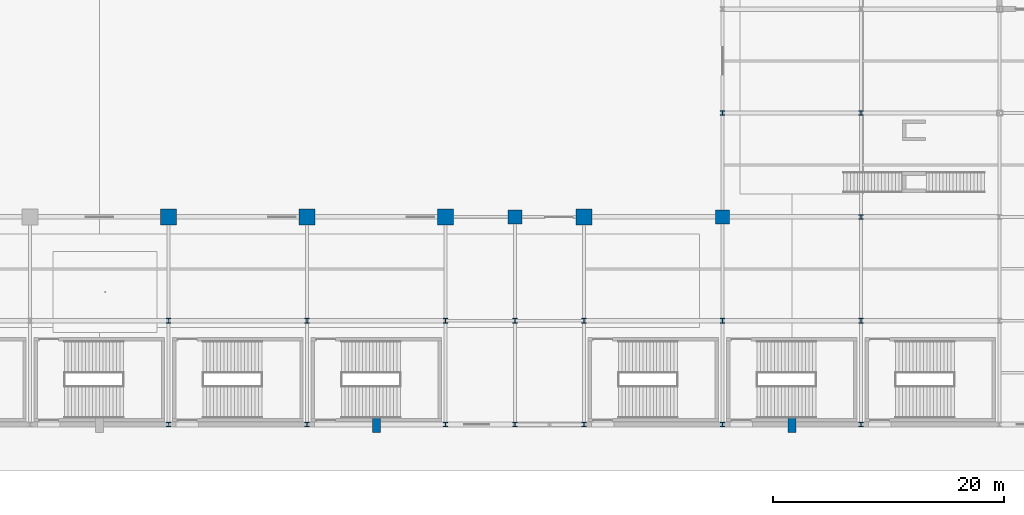
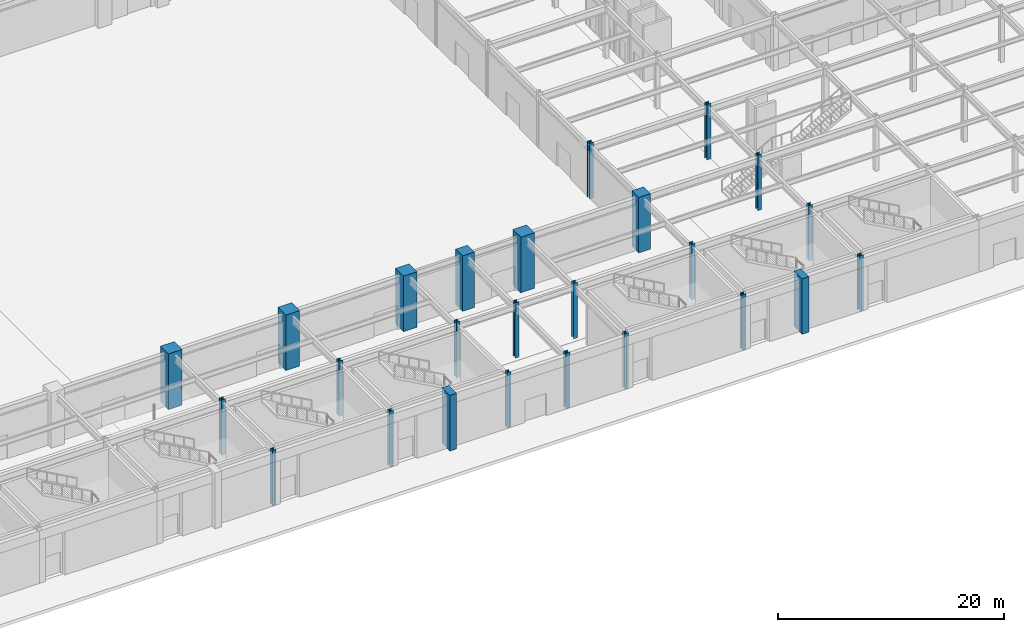
# One storey, part 4 of 44: 25 columns.
"""IFC4 building model written with IfcOpenShell, lengths in metres."""

from ifc_helpers import new_model, si_unit, direction, frame, origin, origin_2d, place, context, subcontext, project, spatial, rectangle, i_section, extrude, material, material_profile, profile_set, type_object, element, save


model = new_model("IFC4")

# Units and contexts
model_context = context("Model", 3, precision=1e-05, world=origin(), true_north=direction((0.0, 1.0)))
body_context = subcontext(model_context, "Body", "Model", "MODEL_VIEW")
ifc_project = project(units=[si_unit("LENGTHUNIT", "METRE"), si_unit("AREAUNIT", "SQUARE_METRE"), si_unit("VOLUMEUNIT", "CUBIC_METRE"), si_unit("PLANEANGLEUNIT", "RADIAN"), si_unit("MASSUNIT", "GRAM", prefix="KILO")], contexts=[model_context])

# Site, building, storey
site_placement = place(None, origin())
site = spatial("IfcSite", under=ifc_project, at=site_placement, CompositionType="ELEMENT")
building_placement = place(site_placement, origin())
building = spatial("IfcBuilding", under=site, at=building_placement, Name="Kaldorvane Square Convention Centre", CompositionType="ELEMENT")
storey_placement = place(building_placement, origin())
storey = spatial("IfcBuildingStorey", under=building, at=storey_placement, Name="L00", CompositionType="ELEMENT", Elevation=0.0)

# Columns
ifc_material_1 = material(Name="Concrete f'c = 55 MPa (Normalweight)", Category="concrete")
ifc_material_profile_1 = material_profile(ifc_material_1, rectangle(XDim=1.1999969482421875, YDim=1.1999969482421875, at=origin_2d()), Name="RC1200X1200")
ifc_profile_set_1 = profile_set([ifc_material_profile_1], Name="Concrete f'c = 55 MPa (Normalweight)")
column_type_1 = type_object("IfcColumnType", Name="COL-MEGA-1200", PredefinedType="COLUMN", material=ifc_profile_set_1)
for number, where, z_axis, x_axis, name in (
    (1, (96.0, 18.0, 0.0), (0.0, 0.0, 1.0), (1.0, 0.0, 0.0), "Column MC-02 (L00)"),
    (2, (114.0, 18.0, 0.0), (0.0, 0.0, 1.0), (1.0, 0.0, 0.0), "Column MC-02 (L00)"),
):
    element("IfcColumn", number, at=place(storey_placement, frame(where, z_axis=z_axis, x_axis=x_axis)), inside=storey, type_object=column_type_1, Name=name, PredefinedType="COLUMN", context=body_context, shape_type="SweptSolid", body=[
        extrude(rectangle(XDim=1.1999969482421875, YDim=1.1999969482421875, at=origin_2d()), origin(), (0.0, 0.0, 1.0), 6.0),
    ])
ifc_material_profile_2 = material_profile(ifc_material_1, rectangle(XDim=1.399993896484375, YDim=1.399993896484375, at=origin_2d()), Name="RC1400X1400")
ifc_profile_set_2 = profile_set([ifc_material_profile_2], Name="Concrete f'c = 55 MPa (Normalweight)")
column_type_2 = type_object("IfcColumnType", Name="COL-MEGA-1400", PredefinedType="COLUMN", material=ifc_profile_set_2)
for number, where, z_axis, x_axis, name in (
    (3, (66.0, 18.0, 0.0), (0.0, 0.0, 1.0), (1.0, 0.0, 0.0), "Column MC-01 (L00)"),
    (4, (78.0, 18.0, 0.0), (0.0, 0.0, 1.0), (1.0, 0.0, 0.0), "Column MC-01 (L00)"),
    (5, (90.0, 18.0, 0.0), (0.0, 0.0, 1.0), (1.0, 0.0, 0.0), "Column MC-01 (L00)"),
    (6, (102.0, 18.0, 0.0), (0.0, 0.0, 1.0), (1.0, 0.0, 0.0), "Column MC-01 (L00)"),
):
    element("IfcColumn", number, at=place(storey_placement, frame(where, z_axis=z_axis, x_axis=x_axis)), inside=storey, type_object=column_type_2, Name=name, PredefinedType="COLUMN", context=body_context, shape_type="SweptSolid", body=[
        extrude(rectangle(XDim=1.399993896484375, YDim=1.399993896484375, at=origin_2d()), origin(), (0.0, 0.0, 1.0), 6.0),
    ])
ifc_material_2 = material(Name="Steel ASTM A992 Gr. 50", Category="steel")
ifc_material_profile_3 = material_profile(ifc_material_2, i_section(OverallWidth=0.40130615234375, OverallDepth=0.3993072509765625, WebThickness=0.02490234375, FlangeThickness=0.0395965576171875, FilletRadius=0.0305023193359375, at=origin_2d()), Name="W14X211")
ifc_profile_set_3 = profile_set([ifc_material_profile_3], Name="Steel ASTM A992 Gr. 50")
column_type_3 = type_object("IfcColumnType", Name="COL-STL-211", PredefinedType="COLUMN", material=ifc_profile_set_3)
for number, where, z_axis, x_axis, name in (
    (7, (66.0, 0.0, 0.0), (0.0, 0.0, 1.0), (1.0, 0.0, 0.0), "Column SC-08 (L00)"),
    (8, (66.0, 9.0, 0.0), (0.0, 0.0, 1.0), (1.0, 0.0, 0.0), "Column SC-08 (L00)"),
    (9, (78.0, 0.0, 0.0), (0.0, 0.0, 1.0), (1.0, 0.0, 0.0), "Column SC-08 (L00)"),
    (10, (78.0, 9.0, 0.0), (0.0, 0.0, 1.0), (1.0, 0.0, 0.0), "Column SC-08 (L00)"),
    (11, (90.0, 0.0, 0.0), (0.0, 0.0, 1.0), (1.0, 0.0, 0.0), "Column SC-08 (L00)"),
    (12, (90.0, 9.0, 0.0), (0.0, 0.0, 1.0), (1.0, 0.0, 0.0), "Column SC-08 (L00)"),
    (13, (96.0, 0.0, 0.0), (0.0, 0.0, 1.0), (1.0, 0.0, 0.0), "Column SC-08 (L00)"),
    (14, (96.0, 9.0, 0.0), (0.0, 0.0, 1.0), (1.0, 0.0, 0.0), "Column SC-08 (L00)"),
    (15, (102.0, 0.0, 0.0), (0.0, 0.0, 1.0), (1.0, 0.0, 0.0), "Column SC-08 (L00)"),
    (16, (102.0, 9.0, 0.0), (0.0, 0.0, 1.0), (1.0, 0.0, 0.0), "Column SC-08 (L00)"),
    (17, (114.0, 0.0, 0.0), (0.0, 0.0, 1.0), (1.0, 0.0, 0.0), "Column SC-08 (L00)"),
    (18, (114.0, 9.0, 0.0), (0.0, 0.0, 1.0), (1.0, 0.0, 0.0), "Column SC-08 (L00)"),
    (19, (114.0, 27.0, 0.0), (0.0, 0.0, 1.0), (1.0, 0.0, 0.0), "Column SC-08 (L00)"),
    (20, (126.0, 0.0, 0.0), (0.0, 0.0, 1.0), (1.0, 0.0, 0.0), "Column SC-08 (L00)"),
    (21, (126.0, 9.0, 0.0), (0.0, 0.0, 1.0), (1.0, 0.0, 0.0), "Column SC-08 (L00)"),
    (22, (126.0, 18.0, 0.0), (0.0, 0.0, 1.0), (1.0, 0.0, 0.0), "Column SC-08 (L00)"),
    (23, (126.0, 27.0, 0.0), (0.0, 0.0, 1.0), (1.0, 0.0, 0.0), "Column SC-08 (L00)"),
):
    element("IfcColumn", number, at=place(storey_placement, frame(where, z_axis=z_axis, x_axis=x_axis)), inside=storey, type_object=column_type_3, Name=name, PredefinedType="COLUMN", context=body_context, shape_type="SweptSolid", body=[
        extrude(i_section(OverallWidth=0.40130615234375, OverallDepth=0.3993072509765625, WebThickness=0.02490234375, FlangeThickness=0.0395965576171875, FilletRadius=0.0305023193359375, at=origin_2d()), origin(), (0.0, 0.0, 1.0), 6.0),
    ])
ifc_material_profile_4 = material_profile(ifc_material_1, rectangle(XDim=0.6999969482421875, YDim=1.399993896484375, at=origin_2d()), Name="PIL1400X700")
ifc_profile_set_4 = profile_set([ifc_material_profile_4], Name="Concrete f'c = 55 MPa (Normalweight)")
column_type_4 = type_object("IfcColumnType", Name="PIL-BRUT-1400", PredefinedType="PILASTER", material=ifc_profile_set_4)
for number, where, z_axis, x_axis, name in (
    (24, (84.0, 0.0, 0.0), (0.0, 0.0, 1.0), (1.0, 0.0, 0.0), "Brutalist Colonnade Pilaster (L00)"),
    (25, (120.0, 0.0, 0.0), (0.0, 0.0, 1.0), (1.0, 0.0, 0.0), "Brutalist Colonnade Pilaster (L00)"),
):
    element("IfcColumn", number, at=place(storey_placement, frame(where, z_axis=z_axis, x_axis=x_axis)), inside=storey, type_object=column_type_4, Name=name, PredefinedType="PILASTER", context=body_context, shape_type="SweptSolid", body=[
        extrude(rectangle(XDim=0.6999969482421875, YDim=1.399993896484375, at=origin_2d()), origin(), (0.0, 0.0, 1.0), 6.0),
    ])

save(model, "model.ifc")
